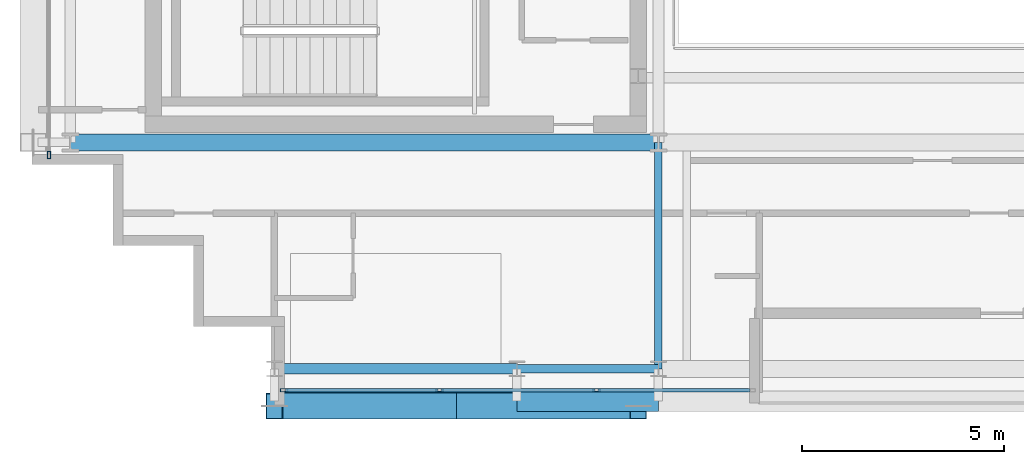
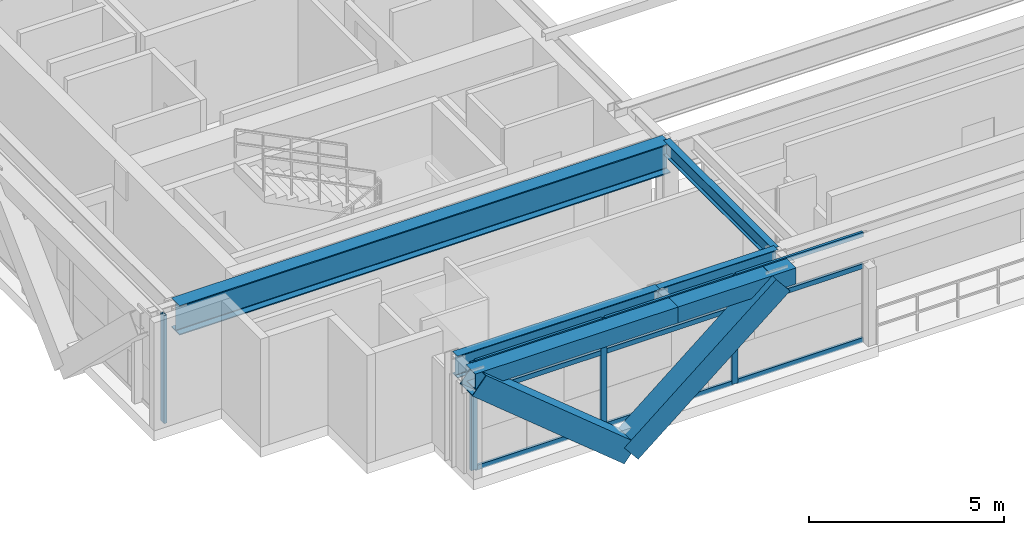
# One storey, part 3 of 29: 15 members, 6 beams, 2 elements without a shape of their own.
"""IFC4 building model written with IfcOpenShell, lengths in metres."""

from ifc_helpers import new_model, si_unit, direction, frame, origin, origin_2d, place, context, subcontext, project, spatial, hollow_rectangle, i_section, extrude, source, transform, mapped, material, layer, layer_set, material_profile, profile_set, type_object, element, aggregate, save


model = new_model("IFC4")

# Units and contexts
model_context = context("Model", 3, precision=1e-05, world=origin(), true_north=direction((0.0, 1.0)))
body_context = subcontext(model_context, "Body", "Model", "MODEL_VIEW")
ifc_project = project(units=[si_unit("LENGTHUNIT", "METRE"), si_unit("AREAUNIT", "SQUARE_METRE"), si_unit("VOLUMEUNIT", "CUBIC_METRE"), si_unit("PLANEANGLEUNIT", "RADIAN"), si_unit("MASSUNIT", "GRAM", prefix="KILO")], contexts=[model_context])

# Site, building, storey
site_placement = place(None, origin())
site = spatial("IfcSite", under=ifc_project, at=site_placement, CompositionType="ELEMENT")
building_placement = place(site_placement, origin())
building = spatial("IfcBuilding", under=site, at=building_placement, Name="Ocotamira Hotel", CompositionType="ELEMENT")
storey_placement = place(building_placement, frame((0.0, 0.0, 247.199951171875)))
storey = spatial("IfcBuildingStorey", under=building, at=storey_placement, Name="L62", CompositionType="ELEMENT", Elevation=247.199951171875)

# Beams
ifc_material_1 = material(Name="Steel ASTM A992 Grade 50", Category="steel")
ifc_material_profile_1 = material_profile(ifc_material_1, i_section(OverallWidth=0.41796875, OverallDepth=0.927001953125, WebThickness=0.019287109375, FlangeThickness=0.031982421875, FilletRadius=0.02392578125, at=origin_2d()), Name="W36X231")
ifc_profile_set_1 = profile_set([ifc_material_profile_1], Name="Steel ASTM A992 Grade 50")
beam_type_1 = type_object("IfcBeamType", Name="BM-GIRD-W36X231", PredefinedType="BEAM", material=ifc_profile_set_1)
shared_shape_1 = source(origin(), body_context, "Body", "SweptSolid", [
    extrude(i_section(OverallWidth=0.41796875, OverallDepth=0.927001953125, WebThickness=0.019287109375, FlangeThickness=0.031982421875, FilletRadius=0.02392578125, at=origin_2d()), origin(), (0.0, 0.0, 1.0), 14.550048828125),
])
beam_1_placement = place(storey_placement, frame((8.949951171875, 14.550048828125, 2.91650390625), z_axis=(1.0, 0.0, 0.0), x_axis=(0.0, 1.0, 0.0)))
element("IfcBeam", 1, at=beam_1_placement, inside=storey, type_object=beam_type_1, Name="L62 Girder Y14.55 X8.95-23.5", PredefinedType="BEAM", context=body_context, shape_type="MappedRepresentation", body=[
    mapped(shared_shape_1, transform((0.0, 0.0, 0.0), scale=1.0)),
])
ifc_material_profile_2 = material_profile(ifc_material_1, i_section(OverallWidth=0.256103515625, OverallDepth=0.693115234375, WebThickness=0.014404296875, FlangeThickness=0.023681640625, FilletRadius=0.01611328125, at=origin_2d()), Name="W27X114")
ifc_profile_set_2 = profile_set([ifc_material_profile_2], Name="Steel ASTM A992 Grade 50")
beam_type_2 = type_object("IfcBeamType", Name="BM-PRIM-W27X114", PredefinedType="BEAM", material=ifc_profile_set_2)
shared_shape_2 = source(origin(), body_context, "Body", "SweptSolid", [
    extrude(i_section(OverallWidth=0.256103515625, OverallDepth=0.693115234375, WebThickness=0.014404296875, FlangeThickness=0.023681640625, FilletRadius=0.01611328125, at=origin_2d()), origin(), (0.0, 0.0, 1.0), 6.0),
])
beam_2_placement = place(storey_placement, frame((14.0, 8.949951171875, 3.033447265625), z_axis=(1.0, 0.0, 0.0), x_axis=(0.0, 1.0, 0.0)))
element("IfcBeam", 2, at=beam_2_placement, inside=storey, type_object=beam_type_2, Name="L62 Girder Y8.95 X14-20", PredefinedType="BEAM", context=body_context, shape_type="MappedRepresentation", body=[
    mapped(shared_shape_2, transform((0.0, 0.0, 0.0), scale=1.0)),
])
ifc_material_profile_3 = material_profile(ifc_material_1, i_section(OverallWidth=0.2099609375, OverallDepth=0.537109375, WebThickness=0.010986328125, FlangeThickness=0.017333984375, FilletRadius=0.012939453125, at=origin_2d()), Name="W21X68")
ifc_profile_set_3 = profile_set([ifc_material_profile_3], Name="Steel ASTM A992 Grade 50")
beam_type_3 = type_object("IfcBeamType", Name="BM-SEC-W21X68", PredefinedType="JOIST", material=ifc_profile_set_3)
shared_shape_3 = source(origin(), body_context, "Body", "SweptSolid", [
    extrude(i_section(OverallWidth=0.2099609375, OverallDepth=0.537109375, WebThickness=0.010986328125, FlangeThickness=0.017333984375, FilletRadius=0.012939453125, at=origin_2d()), origin(), (0.0, 0.0, 1.0), 3.5),
])
beam_3_placement = place(storey_placement, frame((20.0, 8.949951171875, 3.111572265625), z_axis=(1.0, 0.0, 0.0), x_axis=(0.0, 1.0, 0.0)))
element("IfcBeam", 3, at=beam_3_placement, inside=storey, type_object=beam_type_3, Name="L62 Girder Y8.95 X20-23.5", PredefinedType="JOIST", context=body_context, shape_type="MappedRepresentation", body=[
    mapped(shared_shape_3, transform((0.0, 0.0, 0.0), scale=1.0)),
])
ifc_material_2 = material(Name="Steel ASTM A500 Grade C", Category="steel")
ifc_material_profile_4 = material_profile(ifc_material_2, hollow_rectangle(XDim=0.5, YDim=0.5, WallThickness=0.02001953125, at=origin_2d()), Name="HSS500X500X20")
ifc_profile_set_4 = profile_set([ifc_material_profile_4], Name="Steel ASTM A500 Grade C")
beam_type_4 = type_object("IfcBeamType", Name="BM-SPAN-HSS500", PredefinedType="USERDEFINED", material=ifc_profile_set_4)
shared_shape_4 = source(origin(), body_context, "Body", "SweptSolid", [
    extrude(hollow_rectangle(XDim=0.5, YDim=0.5, WallThickness=0.02001953125, at=origin_2d()), origin(), (0.0, 0.0, 1.0), 6.0),
])
beam_4_placement = place(storey_placement, frame((14.0, 8.14990234375, 3.130126953125), z_axis=(1.0, 0.0, 0.0), x_axis=(0.0, 1.0, 0.0)))
element("IfcBeam", 4, at=beam_4_placement, inside=storey, type_object=beam_type_4, Name="L62 Edge Spandrel S X14-20", ObjectType="SPANDREL", PredefinedType="USERDEFINED", context=body_context, shape_type="MappedRepresentation", body=[
    mapped(shared_shape_4, transform((0.0, 0.0, 0.0), scale=1.0)),
])
shared_shape_5 = source(origin(), body_context, "Body", "SweptSolid", [
    extrude(hollow_rectangle(XDim=0.5, YDim=0.5, WallThickness=0.02001953125, at=origin_2d()), origin(), (0.0, 0.0, 1.0), 3.5),
])
beam_5_placement = place(storey_placement, frame((20.0, 8.14990234375, 3.130126953125), z_axis=(1.0, 0.0, 0.0), x_axis=(0.0, 1.0, 0.0)))
element("IfcBeam", 5, at=beam_5_placement, inside=storey, type_object=beam_type_4, Name="L62 Edge Spandrel S X20-23.5", ObjectType="SPANDREL", PredefinedType="USERDEFINED", context=body_context, shape_type="MappedRepresentation", body=[
    mapped(shared_shape_5, transform((0.0, 0.0, 0.0), scale=1.0)),
])
ifc_material_profile_5 = material_profile(ifc_material_1, i_section(OverallWidth=0.18994140625, OverallDepth=0.45703125, WebThickness=0.009033203125, FlangeThickness=0.014404296875, FilletRadius=0.010009765625, at=origin_2d()), Name="W18X50")
ifc_profile_set_5 = profile_set([ifc_material_profile_5], Name="Steel ASTM A992 Grade 50")
beam_type_5 = type_object("IfcBeamType", Name="BM-SEC-W18X50", PredefinedType="JOIST", material=ifc_profile_set_5)
shared_shape_6 = source(origin(), body_context, "Body", "SweptSolid", [
    extrude(i_section(OverallWidth=0.18994140625, OverallDepth=0.45703125, WebThickness=0.009033203125, FlangeThickness=0.014404296875, FilletRadius=0.010009765625, at=origin_2d()), origin(), (0.0, 0.0, 1.0), 5.60009765625),
])
beam_6_placement = place(storey_placement, frame((23.5, 8.949951171875, 3.151611328125), z_axis=(0.0, 1.0, 0.0), x_axis=(-1.0, 0.0, 0.0)))
element("IfcBeam", 6, at=beam_6_placement, inside=storey, type_object=beam_type_5, Name="L62 Beam X23.5 Y8.95-14.55", PredefinedType="JOIST", context=body_context, shape_type="MappedRepresentation", body=[
    mapped(shared_shape_6, transform((0.0, 0.0, 0.0), scale=1.0)),
])

# Members
ifc_material_3 = material(Name="Pale-metal coated steel ASTM A913 Grade 65", Category="steel")
ifc_material_profile_6 = material_profile(ifc_material_3, hollow_rectangle(XDim=0.64990234375, YDim=0.64990234375, WallThickness=0.02197265625, at=origin_2d()), Name="BOX650X650X22")
ifc_profile_set_6 = profile_set([ifc_material_profile_6], Name="Pale-metal coated steel ASTM A913 Grade 65")
member_type_1 = type_object("IfcMemberType", Name="MEM-EXO-BOX650", PredefinedType="BRACE", material=ifc_profile_set_6)
shared_shape_7 = source(origin(), body_context, "Body", "SweptSolid", [
    extrude(hollow_rectangle(XDim=0.64990234375, YDim=0.64990234375, WallThickness=0.02197265625, at=origin_2d()), origin(), (0.0, 0.0, 1.0), 5.825927734375),
])
for number, where, z_axis, x_axis, name in (
    (7, (18.5, 8.030029296875, -0.570068359375), (-0.772409039467, 0.0, 0.635125401593), (0.0, -1.0, 0.0), "L62 Exoskeleton Diagrid S0.1"),
    (8, (18.5, 8.030029296875, -0.570068359375), (0.772409039467, 0.0, 0.635125401593), (0.0, 1.0, 0.0), "L62 Exoskeleton Diagrid S0.2"),
):
    element("IfcMember", number, at=place(storey_placement, frame(where, z_axis=z_axis, x_axis=x_axis)), inside=storey, type_object=member_type_1, Name=name, PredefinedType="BRACE", context=body_context, shape_type="MappedRepresentation", body=[
        mapped(shared_shape_7, transform((0.0, 0.0, 0.0), scale=1.0)),
    ])

# Curtain wall, members
ifc_material_4 = material(Name="Anodised pale-metal aluminium and solar glass", Category="aluminium")
ifc_layer = layer(ifc_material_4, 0.239990234375)
ifc_layer_set = layer_set([ifc_layer], Name="Anodised pale-metal aluminium and solar glass")
curtain_wall_type = type_object("IfcCurtainWallType", Name="CW-SYS5-SKY", PredefinedType="NOTDEFINED", material=ifc_layer_set)
curtain_wall_1_placement = place(storey_placement, origin())
curtain_wall_1 = element("IfcCurtainWall", 9, at=curtain_wall_1_placement, inside=storey, type_object=curtain_wall_type, Name="L62 Curtain Wall CW-5 CW-L62-S1", PredefinedType="NOTDEFINED")
ifc_material_5 = material(Name="Anodised pale-metal aluminium 6063-T6", Category="aluminium")
ifc_material_profile_7 = material_profile(ifc_material_5, hollow_rectangle(XDim=0.074951171875, YDim=0.14990234375, WallThickness=0.006103515625, at=origin_2d()), Name="HSS150X75X6")
ifc_profile_set_7 = profile_set([ifc_material_profile_7], Name="Anodised pale-metal aluminium 6063-T6")
member_type_2 = type_object("IfcMemberType", Name="CWT-150X75", PredefinedType="USERDEFINED", material=ifc_profile_set_7)
shared_shape_8 = source(origin(), body_context, "Body", "SweptSolid", [
    extrude(hollow_rectangle(XDim=0.074951171875, YDim=0.14990234375, WallThickness=0.006103515625, at=origin_2d()), origin(), (0.0, 0.0, 1.0), 3.76318359375),
])
member_1_placement = place(storey_placement, frame((14.280029296875, 8.419921875, 0.03759765625), z_axis=(1.0, 0.0, 0.0), x_axis=(0.0, 1.0, 0.0)))
member_1 = element("IfcMember", 10, at=member_1_placement, type_object=member_type_2, Name="CW-5 transom 1.1", ObjectType="TRANSOM", PredefinedType="USERDEFINED", context=body_context, shape_type="MappedRepresentation", body=[
    mapped(shared_shape_8, transform((0.0, 0.0, 0.0), scale=1.0)),
])
member_2_placement = place(storey_placement, frame((14.280029296875, 8.419921875, 2.35009765625), z_axis=(1.0, 0.0, 0.0), x_axis=(0.0, 1.0, 0.0)))
member_2 = element("IfcMember", 11, at=member_2_placement, type_object=member_type_2, Name="CW-5 transom 1.2", ObjectType="TRANSOM", PredefinedType="USERDEFINED", context=body_context, shape_type="MappedRepresentation", body=[
    mapped(shared_shape_8, transform((0.0, 0.0, 0.0), scale=1.0)),
])
member_3_placement = place(storey_placement, frame((14.280029296875, 8.419921875, 3.342529296875), z_axis=(1.0, 0.0, 0.0), x_axis=(0.0, 1.0, 0.0)))
member_3 = element("IfcMember", 12, at=member_3_placement, type_object=member_type_2, Name="CW-5 transom 1.3", ObjectType="TRANSOM", PredefinedType="USERDEFINED", context=body_context, shape_type="MappedRepresentation", body=[
    mapped(shared_shape_8, transform((0.0, 0.0, 0.0), scale=1.0)),
])
shared_shape_9 = source(origin(), body_context, "Body", "SweptSolid", [
    extrude(hollow_rectangle(XDim=0.074951171875, YDim=0.14990234375, WallThickness=0.006103515625, at=origin_2d()), origin(), (0.0, 0.0, 1.0), 3.803466796875),
])
member_4_placement = place(storey_placement, frame((18.123291015625, 8.419921875, 0.03759765625), z_axis=(1.0, 0.0, 0.0), x_axis=(0.0, 1.0, 0.0)))
member_4 = element("IfcMember", 13, at=member_4_placement, type_object=member_type_2, Name="CW-5 transom 2.1", ObjectType="TRANSOM", PredefinedType="USERDEFINED", context=body_context, shape_type="MappedRepresentation", body=[
    mapped(shared_shape_9, transform((0.0, 0.0, 0.0), scale=1.0)),
])
member_5_placement = place(storey_placement, frame((18.123291015625, 8.419921875, 2.35009765625), z_axis=(1.0, 0.0, 0.0), x_axis=(0.0, 1.0, 0.0)))
member_5 = element("IfcMember", 14, at=member_5_placement, type_object=member_type_2, Name="CW-5 transom 2.2", ObjectType="TRANSOM", PredefinedType="USERDEFINED", context=body_context, shape_type="MappedRepresentation", body=[
    mapped(shared_shape_9, transform((0.0, 0.0, 0.0), scale=1.0)),
])
member_6_placement = place(storey_placement, frame((18.123291015625, 8.419921875, 3.342529296875), z_axis=(1.0, 0.0, 0.0), x_axis=(0.0, 1.0, 0.0)))
member_6 = element("IfcMember", 15, at=member_6_placement, type_object=member_type_2, Name="CW-5 transom 2.3", ObjectType="TRANSOM", PredefinedType="USERDEFINED", context=body_context, shape_type="MappedRepresentation", body=[
    mapped(shared_shape_9, transform((0.0, 0.0, 0.0), scale=1.0)),
])
shared_shape_10 = source(origin(), body_context, "Body", "SweptSolid", [
    extrude(hollow_rectangle(XDim=0.074951171875, YDim=0.14990234375, WallThickness=0.006103515625, at=origin_2d()), origin(), (0.0, 0.0, 1.0), 3.763427734375),
])
member_7_placement = place(storey_placement, frame((22.006591796875, 8.419921875, 0.03759765625), z_axis=(1.0, 0.0, 0.0), x_axis=(0.0, 1.0, 0.0)))
member_7 = element("IfcMember", 16, at=member_7_placement, type_object=member_type_2, Name="CW-5 transom 3.1", ObjectType="TRANSOM", PredefinedType="USERDEFINED", context=body_context, shape_type="MappedRepresentation", body=[
    mapped(shared_shape_10, transform((0.0, 0.0, 0.0), scale=1.0)),
])
member_8_placement = place(storey_placement, frame((22.006591796875, 8.419921875, 2.35009765625), z_axis=(1.0, 0.0, 0.0), x_axis=(0.0, 1.0, 0.0)))
member_8 = element("IfcMember", 17, at=member_8_placement, type_object=member_type_2, Name="CW-5 transom 3.2", ObjectType="TRANSOM", PredefinedType="USERDEFINED", context=body_context, shape_type="MappedRepresentation", body=[
    mapped(shared_shape_10, transform((0.0, 0.0, 0.0), scale=1.0)),
])
member_9_placement = place(storey_placement, frame((22.006591796875, 8.419921875, 3.342529296875), z_axis=(1.0, 0.0, 0.0), x_axis=(0.0, 1.0, 0.0)))
member_9 = element("IfcMember", 18, at=member_9_placement, type_object=member_type_2, Name="CW-5 transom 3.3", ObjectType="TRANSOM", PredefinedType="USERDEFINED", context=body_context, shape_type="MappedRepresentation", body=[
    mapped(shared_shape_10, transform((0.0, 0.0, 0.0), scale=1.0)),
])
ifc_material_profile_8 = material_profile(ifc_material_5, hollow_rectangle(XDim=0.080078125, YDim=0.179931640625, WallThickness=0.006103515625, at=origin_2d()), Name="HSS180X80X6")
ifc_profile_set_8 = profile_set([ifc_material_profile_8], Name="Anodised pale-metal aluminium 6063-T6")
member_type_3 = type_object("IfcMemberType", Name="CWM-180X75", PredefinedType="MULLION", material=ifc_profile_set_8)
shared_shape_11 = source(origin(), body_context, "Body", "SweptSolid", [
    extrude(hollow_rectangle(XDim=0.080078125, YDim=0.179931640625, WallThickness=0.006103515625, at=origin_2d()), origin(), (0.0, 0.0, 1.0), 3.380126953125),
])
member_10_placement = place(storey_placement, frame((14.239990234375, 8.419921875, 0.0), z_axis=(0.0, 0.0, 1.0), x_axis=(0.0, 1.0, 0.0)))
member_10 = element("IfcMember", 19, at=member_10_placement, type_object=member_type_3, Name="CW-5 mullion 1", PredefinedType="MULLION", context=body_context, shape_type="MappedRepresentation", body=[
    mapped(shared_shape_11, transform((0.0, 0.0, 0.0), scale=1.0)),
])
member_11_placement = place(storey_placement, frame((18.083251953125, 8.419921875, 0.0), z_axis=(0.0, 0.0, 1.0), x_axis=(0.0, 1.0, 0.0)))
member_11 = element("IfcMember", 20, at=member_11_placement, type_object=member_type_3, Name="CW-5 mullion 2", PredefinedType="MULLION", context=body_context, shape_type="MappedRepresentation", body=[
    mapped(shared_shape_11, transform((0.0, 0.0, 0.0), scale=1.0)),
])
member_12_placement = place(storey_placement, frame((21.966552734375, 8.419921875, 0.0), z_axis=(0.0, 0.0, 1.0), x_axis=(0.0, 1.0, 0.0)))
member_12 = element("IfcMember", 21, at=member_12_placement, type_object=member_type_3, Name="CW-5 mullion 3", PredefinedType="MULLION", context=body_context, shape_type="MappedRepresentation", body=[
    mapped(shared_shape_11, transform((0.0, 0.0, 0.0), scale=1.0)),
])
aggregate(curtain_wall_1, [member_10, member_11, member_12, member_1, member_2, member_3, member_4, member_5, member_6, member_7, member_8, member_9])

# Curtain wall, member
curtain_wall_2_placement = place(storey_placement, origin())
curtain_wall_2 = element("IfcCurtainWall", 22, at=curtain_wall_2_placement, inside=storey, type_object=curtain_wall_type, Name="L62 Curtain Wall CW-5 CW-L62-W", PredefinedType="NOTDEFINED")
member_13_placement = place(storey_placement, frame((8.419921875, 14.239990234375, 0.0), z_axis=(0.0, 0.0, 1.0), x_axis=(-1.0, 0.0, 0.0)))
member_13 = element("IfcMember", 23, at=member_13_placement, type_object=member_type_3, Name="CW-5 mullion 1", PredefinedType="MULLION", context=body_context, shape_type="MappedRepresentation", body=[
    mapped(shared_shape_11, transform((0.0, 0.0, 0.0), scale=1.0)),
])
aggregate(curtain_wall_2, [member_13])

save(model, "model.ifc")
